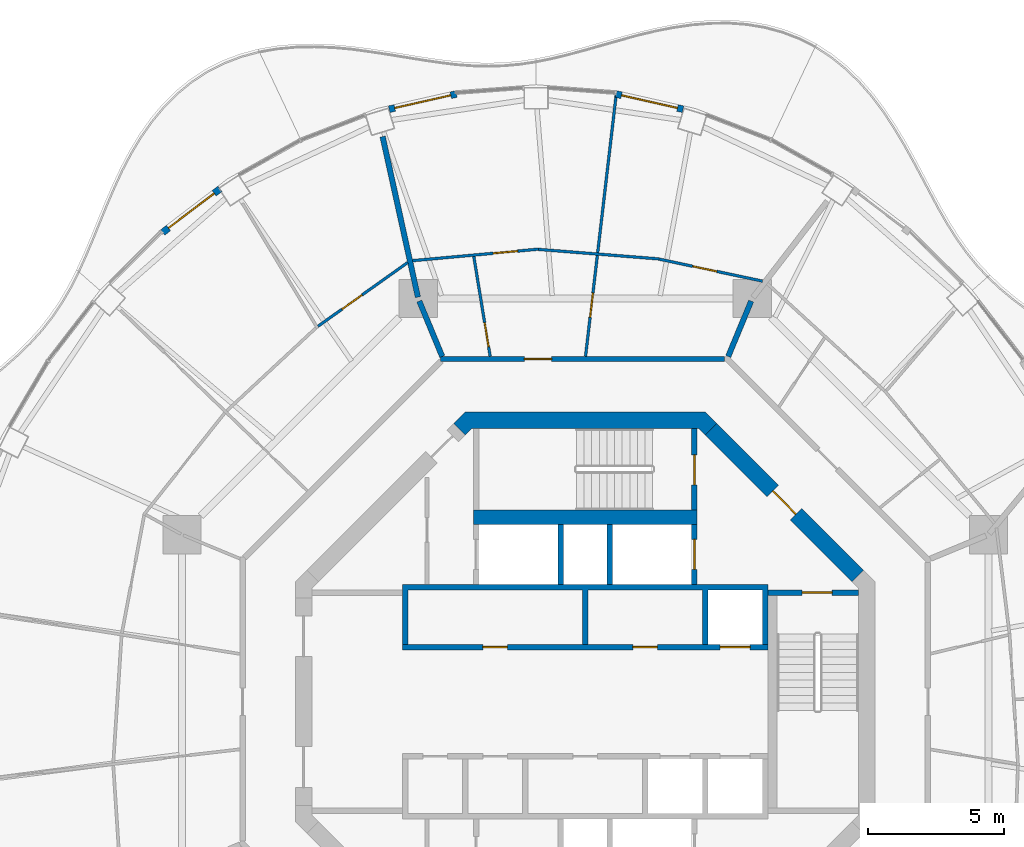
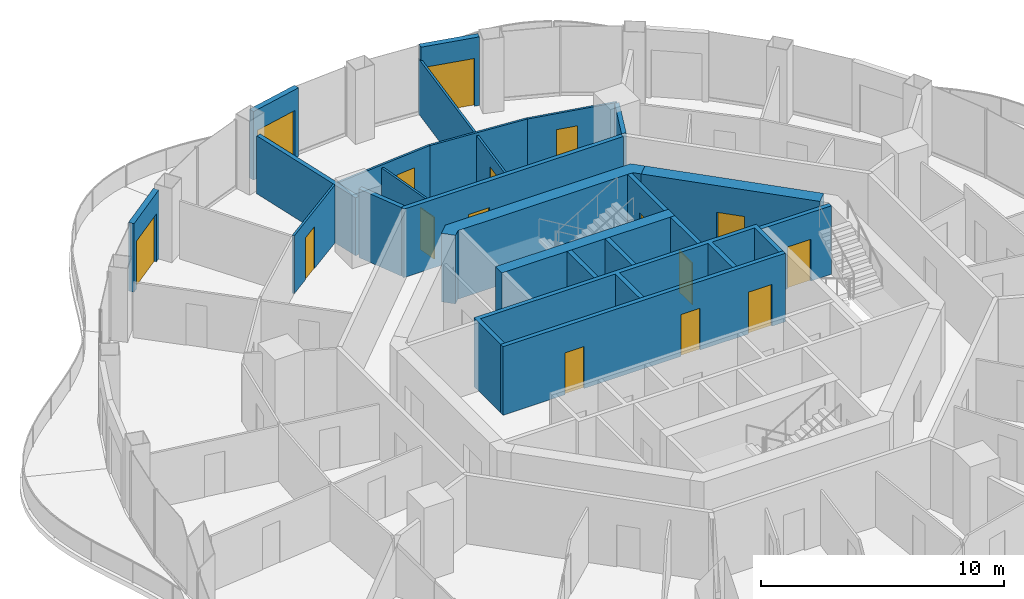
# One storey, part 13 of 17: 23 walls, 16 doors, 16 openings.
"""IFC4 building model written with IfcOpenShell, lengths in metres."""

import ifcopenshell
import ifcopenshell.guid

model = None  # the IFC model being written
_history = None  # IfcOwnerHistory: only IFC2X3 demands one
_inside = {}  # id of a spatial element -> (the spatial element, [elements in it])
_under = {}  # id of a project, library or spatial element -> (it, [spatial elements below it])
_declared = {}  # id of a project -> (the project, [libraries it declares])
_typed = {}  # id of a type object -> (the type object, [elements of that type])
_made_of = {}  # id of a material, layer set ... -> (it, [elements and type objects made of it])


def new_model(schema):
    """Start an empty IFC model of exactly this schema.

    Asked for "IFC4X3", IfcOpenShell would pick the latest addendum, in which some entities
    have other attributes; the version numbers below select the first issue.
    IFC2X3 requires an IfcOwnerHistory on every rooted entity: one is made here for all.
    """
    global model, _history
    if schema == "IFC4X3":
        model = ifcopenshell.file(schema_version=(4, 3, 0, 0))
    else:
        model = ifcopenshell.file(schema=schema)
    _inside.clear()
    _under.clear()
    _declared.clear()
    _typed.clear()
    _made_of.clear()
    _history = None
    if model.schema == "IFC2X3":
        org = make("IfcOrganization", Name="unknown")
        user = make(
            "IfcPersonAndOrganization",
            ThePerson=make("IfcPerson", FamilyName="unknown"),
            TheOrganization=org,
        )
        app = make(
            "IfcApplication",
            ApplicationDeveloper=org,
            Version="unknown",
            ApplicationFullName="unknown",
            ApplicationIdentifier="unknown",
        )
        _history = make(
            "IfcOwnerHistory",
            OwningUser=user,
            OwningApplication=app,
            ChangeAction="ADDED",
            CreationDate=0,
        )
    return model


def make(cls, **values):
    """One entity of the class cls with the attributes given. An attribute that is None is left unset."""
    return model.create_entity(
        cls, **{name: value for name, value in values.items() if value is not None}
    )


def rooted(cls, **values):
    """An entity with a GlobalId (a new one), such as an element, a storey or a relation."""
    return make(cls, GlobalId=ifcopenshell.guid.new(), OwnerHistory=_history, **values)


def si_unit(unit_type, name, prefix=None):
    """IfcSIUnit, for example si_unit("LENGTHUNIT", "METRE", prefix="MILLI")."""
    return make("IfcSIUnit", UnitType=unit_type, Prefix=prefix, Name=name)


def assignment(units):
    """IfcUnitAssignment: the units of a project."""
    return None if units is None else make("IfcUnitAssignment", Units=units)


def point(xyz):
    """IfcCartesianPoint."""
    return None if xyz is None else make("IfcCartesianPoint", Coordinates=xyz)


def direction(xyz):
    """IfcDirection."""
    return None if xyz is None else make("IfcDirection", DirectionRatios=xyz)


def frame(location, z_axis=None, x_axis=None):
    """IfcAxis2Placement3D, a coordinate frame: its origin and axes. An axis left out is left unset."""
    return make(
        "IfcAxis2Placement3D",
        Location=point(location),
        Axis=direction(z_axis),
        RefDirection=direction(x_axis),
    )


def frame_2d(location, x_axis=None):
    """IfcAxis2Placement2D, a coordinate frame in the plane: its origin and x axis."""
    return make(
        "IfcAxis2Placement2D", Location=point(location), RefDirection=direction(x_axis)
    )


def origin():
    """The frame at (0, 0, 0) with its axes left unset."""
    return frame((0.0, 0.0, 0.0))


def place(relative_to, where):
    """IfcLocalPlacement: puts the frame where relative to a parent placement (None: the world)."""
    return make(
        "IfcLocalPlacement", PlacementRelTo=relative_to, RelativePlacement=where
    )


def context(
    kind, dimensions, precision=None, world=None, true_north=None, identifier=None
):
    """IfcGeometricRepresentationContext, for example the 3D "Model" context."""
    return make(
        "IfcGeometricRepresentationContext",
        ContextIdentifier=identifier,
        ContextType=kind,
        CoordinateSpaceDimension=dimensions,
        Precision=precision,
        WorldCoordinateSystem=world,
        TrueNorth=true_north,
    )


def subcontext(parent, identifier, kind, view, scale=None):
    """IfcGeometricRepresentationSubContext, for example "Body" below "Model"."""
    return make(
        "IfcGeometricRepresentationSubContext",
        ContextIdentifier=identifier,
        ContextType=kind,
        ParentContext=parent,
        TargetScale=scale,
        TargetView=view,
    )


def project(units=None, contexts=None):
    """IfcProject with its units and contexts."""
    return rooted(
        "IfcProject",
        Name="project",
        RepresentationContexts=contexts,
        UnitsInContext=assignment(units),
    )


def spatial(cls, under=None, at=None, **own):
    """A site, building, storey or space (cls), placed at a placement, below another one or the project."""
    s = rooted(cls, ObjectPlacement=at, **own)
    if under is not None:
        _under.setdefault(under.id(), (under, []))[1].append(s)
    return s


def polyline(points):
    """IfcPolyline through the points."""
    return make("IfcPolyline", Points=[point(p) for p in points])


def profile(cls, at=None, kind="AREA", **sizes):
    """A parametric profile (cls). Its sizes go by their IFC names, for example OverallWidth=200.0."""
    return make(cls, ProfileType=kind, Position=at, **sizes)


def rectangle(**sizes):
    """IfcRectangleProfileDef."""
    return profile("IfcRectangleProfileDef", **sizes)


def outline(outer, holes=None, kind="AREA"):
    """IfcArbitraryClosedProfileDef: a profile drawn as a closed curve; with holes, ...WithVoids."""
    if holes is None:
        return make("IfcArbitraryClosedProfileDef", ProfileType=kind, OuterCurve=outer)
    return make(
        "IfcArbitraryProfileDefWithVoids",
        ProfileType=kind,
        OuterCurve=outer,
        InnerCurves=holes,
    )


def extrude(swept, where, along, depth):
    """IfcExtrudedAreaSolid: the profile swept, set in the frame where, extruded along a direction by depth."""
    return make(
        "IfcExtrudedAreaSolid",
        SweptArea=swept,
        Position=where,
        ExtrudedDirection=direction(along),
        Depth=depth,
    )


def shape(context_of_items, identifier, shape_type, items):
    """IfcShapeRepresentation: the items that make up one representation, for example the "Body"."""
    return make(
        "IfcShapeRepresentation",
        ContextOfItems=context_of_items,
        RepresentationIdentifier=identifier,
        RepresentationType=shape_type,
        Items=items,
    )


def material(Name=None, Category=None):
    """IfcMaterial."""
    return make("IfcMaterial", Name=Name, Category=Category)


def layer(
    of_material, thickness, ventilated=None, Name=None, Category=None, Priority=None
):
    """IfcMaterialLayer: one layer of a wall or slab, of a material (None: an air gap)."""
    return make(
        "IfcMaterialLayer",
        Material=of_material,
        LayerThickness=thickness,
        IsVentilated=ventilated,
        Name=Name,
        Category=Category,
        Priority=Priority,
    )


def layer_set(layers, Name=None):
    """IfcMaterialLayerSet."""
    return make("IfcMaterialLayerSet", MaterialLayers=layers, LayerSetName=Name)


def made_of(thing, what):
    """Note that an element or type object is made of a material, layer set ...; save() writes the relation."""
    if what is not None:
        _made_of.setdefault(what.id(), (what, []))[1].append(thing)
    return thing


def type_object(cls, material=None, **own):
    """A type object (cls), such as IfcWallType, which elements share."""
    return made_of(rooted(cls, **own), material)


def element(
    cls,
    number,
    at=None,
    inside=None,
    cuts=None,
    type_object=None,
    material=None,
    context=None,
    identifier="Body",
    shape_type=None,
    held_by="IfcProductDefinitionShape",
    body=None,
    shapes=None,
    **own,
):
    """One element of the class cls, such as IfcWall. Its Tag is "e" and its number.

    at: its placement. inside: the storey or other place that contains it. cuts: it is an
    opening in that element (IfcRelVoidsElement). A single representation is given by context,
    identifier, shape_type and body (its items); several are given by shapes. held_by: the class
    of the entity that holds the representations. save() writes the other relations.
    """
    e = rooted(cls, Tag="e%d" % number, ObjectPlacement=at, **own)
    if body is not None:
        shapes = [shape(context, identifier, shape_type, body)]
    if shapes is not None:
        e.Representation = make(held_by, Representations=shapes)
    if inside is not None:
        _inside.setdefault(inside.id(), (inside, []))[1].append(e)
    if cuts is not None:
        rooted(
            "IfcRelVoidsElement", RelatingBuildingElement=cuts, RelatedOpeningElement=e
        )
    if type_object is not None:
        _typed.setdefault(type_object.id(), (type_object, []))[1].append(e)
    return made_of(e, material)


def fill(opening, filler):
    """IfcRelFillsElement: the door or window that sits in an opening."""
    return rooted(
        "IfcRelFillsElement",
        RelatingOpeningElement=opening,
        RelatedBuildingElement=filler,
    )


def aggregate(whole, parts):
    """IfcRelAggregates: a whole, such as a stair, and the parts it consists of."""
    return rooted("IfcRelAggregates", RelatingObject=whole, RelatedObjects=parts)


def save(model, path):
    """Write the relations noted so far, then the file.

    IfcRelAggregates (storeys below a building ...), IfcRelContainedInSpatialStructure (elements
    in a storey), IfcRelDefinesByType, IfcRelAssociatesMaterial and IfcRelDeclares: one each for
    every whole, place, type object, material and project.
    """
    for whole, parts in _under.values():
        aggregate(whole, parts)
    for where, things in _inside.values():
        rooted(
            "IfcRelContainedInSpatialStructure",
            RelatedElements=things,
            RelatingStructure=where,
        )
    for kind, things in _typed.values():
        rooted("IfcRelDefinesByType", RelatedObjects=things, RelatingType=kind)
    for what, things in _made_of.values():
        rooted("IfcRelAssociatesMaterial", RelatedObjects=things, RelatingMaterial=what)
    for by, libraries in _declared.values():
        rooted("IfcRelDeclares", RelatingContext=by, RelatedDefinitions=libraries)
    model.write(path)


model = new_model("IFC4")

# Units and contexts
model_context = context("Model", 3, precision=1e-05, world=origin(), true_north=direction((0.0, 1.0)))
body_context = subcontext(model_context, "Body", "Model", "MODEL_VIEW")
ifc_project = project(units=[si_unit("LENGTHUNIT", "METRE"), si_unit("AREAUNIT", "SQUARE_METRE"), si_unit("VOLUMEUNIT", "CUBIC_METRE"), si_unit("PLANEANGLEUNIT", "RADIAN"), si_unit("MASSUNIT", "GRAM", prefix="KILO")], contexts=[model_context])

# Site, building, storey
site_placement = place(None, origin())
site = spatial("IfcSite", under=ifc_project, at=site_placement, CompositionType="ELEMENT")
building_placement = place(site_placement, origin())
building = spatial("IfcBuilding", under=site, at=building_placement, Name="Nagisa Residences", CompositionType="ELEMENT")
storey_placement = place(building_placement, frame((0.0, 0.0, 288.10009765625)))
storey = spatial("IfcBuildingStorey", under=building, at=storey_placement, Name="L73", CompositionType="ELEMENT", Elevation=288.10009765625)

# Walls
ifc_material_1 = material(Name="Gypsum board on steel studs", Category="steel")
ifc_layer_1 = layer(ifc_material_1, 0.199951171875)
ifc_layer_set_1 = layer_set([ifc_layer_1], Name="Apartment compartment wall EI60 200")
wall_type_1 = type_object("IfcWallType", Name="Apartment compartment wall EI60 200", PredefinedType="PARTITIONING", material=ifc_layer_set_1)
wall_1_placement = place(storey_placement, frame((5.24267578125, 12.6572265625, 0.0), z_axis=(0.0, 0.0, 1.0), x_axis=(0.382691608661, 0.923876145736, 0.0)))
element("IfcWall", 1, at=wall_1_placement, inside=storey, type_object=wall_type_1, Name="wall:L73:u02", PredefinedType="PARTITIONING", context=body_context, shape_type="SweptSolid", body=[
    extrude(rectangle(XDim=2.19970703125, YDim=0.199951171875, at=frame_2d((1.099853515625, 0.0))), origin(), (0.0, 0.0, 1.0), 3.43994140625),
])
wall_2_placement = place(storey_placement, frame((-5.24267578125, 12.6572265625, 0.0), z_axis=(0.0, 0.0, 1.0), x_axis=(-0.38273085373, 0.923859888513, 0.0)))
element("IfcWall", 2, at=wall_2_placement, inside=storey, type_object=wall_type_1, Name="wall:L73:u04", PredefinedType="PARTITIONING", context=body_context, shape_type="SweptSolid", body=[
    extrude(rectangle(XDim=2.199462890625, YDim=0.199951171875, at=frame_2d((1.099609375, 0.0))), origin(), (0.0, 0.0, 1.0), 3.43994140625),
])
wall_3_placement = place(storey_placement, frame((-6.133544921875, 14.830810546875, 0.0), z_axis=(0.0, 0.0, 1.0), x_axis=(-0.214842475666, 0.976648714047, 0.0)))
element("IfcWall", 3, at=wall_3_placement, inside=storey, type_object=wall_type_1, Name="wall:L73:u05", PredefinedType="PARTITIONING", context=body_context, shape_type="SweptSolid", body=[
    extrude(rectangle(XDim=6.03076171875, YDim=0.199951171875, at=frame_2d((3.015380859375, 0.0))), origin(), (0.0, 0.0, 1.0), 2.90478515625),
])

# Wall, opening, door
ifc_material_2 = material(Name="Gypsum board on steel studs", Category="steel")
ifc_layer_2 = layer(ifc_material_2, 0.199951171875)
ifc_layer_set_2 = layer_set([ifc_layer_2], Name="Apartment entry wall EI60 200")
wall_type_2 = type_object("IfcWallType", Name="Apartment entry wall EI60 200", PredefinedType="PARTITIONING", material=ifc_layer_set_2)
wall_4_placement = place(storey_placement, frame((5.1044921875, 12.564697265625, 0.0), z_axis=(0.0, 0.0, 1.0), x_axis=(-1.0, 0.0, 0.0)))
wall_4 = element("IfcWall", 4, at=wall_4_placement, inside=storey, type_object=wall_type_2, Name="wall:L73:u16", PredefinedType="PARTITIONING", context=body_context, shape_type="SweptSolid", body=[
    extrude(rectangle(XDim=10.408935546875, YDim=0.199951171875, at=frame_2d((5.20458984375, 0.0))), origin(), (0.0, 0.0, 1.0), 3.43994140625),
])
opening_1_placement = place(wall_4_placement, frame((6.33935546875, 0.0, 0.0)))
opening_1 = element("IfcOpeningElement", 5, at=opening_1_placement, cuts=wall_4, Name="Opening L73-U30", PredefinedType="OPENING", context=body_context, shape_type="SweptSolid", body=[
    extrude(rectangle(XDim=1.0, YDim=2.10009765625, at=frame_2d((0.5, 1.050048828125))), frame((0.0, 0.10986328125, 0.0), z_axis=(0.0, -1.0, 0.0), x_axis=(1.0, 0.0, 0.0)), (0.0, 0.0, 1.0), 0.219970703125),
])
ifc_material_3 = material(Name="Timber fire door set", Category="wood")
door_type_1 = type_object("IfcDoorType", Name="Apartment entry door FD30S 1000x2100", OperationType="NOTDEFINED", PredefinedType="DOOR", material=ifc_material_3)
door_1_placement = place(opening_1_placement, frame((1.0, 0.0, 0.0), x_axis=(-1.0, 0.0, 0.0)))
door_1 = element("IfcDoor", 6, at=door_1_placement, inside=storey, type_object=door_type_1, Name="Entry door, Apartment 73F", OperationType="SINGLE_SWING_LEFT", OverallHeight=2.10009765625, OverallWidth=1.0, PredefinedType="DOOR", context=body_context, shape_type="SweptSolid", body=[
    extrude(rectangle(XDim=1.0, YDim=2.10009765625, at=frame_2d((0.5, 1.050048828125))), frame((0.0, 0.02490234375, 0.0), z_axis=(0.0, -1.0, 0.0), x_axis=(1.0, 0.0, 0.0)), (0.0, 0.0, 1.0), 0.050048828125),
])
fill(opening_1, door_1)

ifc_material_4 = material(Name="Gypsum board on steel studs", Category="steel")
ifc_layer_3 = layer(ifc_material_4, 0.10009765625)
ifc_layer_set_3 = layer_set([ifc_layer_3], Name="Apartment partition 100")
wall_type_3 = type_object("IfcWallType", Name="Apartment partition 100", PredefinedType="PARTITIONING", material=ifc_layer_set_3)
wall_5_placement = place(storey_placement, frame((6.50048828125, 15.41943359375, 0.0), z_axis=(0.0, 0.0, 1.0), x_axis=(-0.978053492557, 0.208353943321, 0.0)))
wall_5 = element("IfcWall", 7, at=wall_5_placement, inside=storey, type_object=wall_type_3, Name="wall:L73:u33", PredefinedType="PARTITIONING", context=body_context, shape_type="SweptSolid", body=[
    extrude(rectangle(XDim=3.873779296875, YDim=0.10009765625, at=frame_2d((1.93701171875, 0.0))), origin(), (0.0, 0.0, 1.0), 2.90478515625),
])
opening_2_placement = place(wall_5_placement, frame((1.71435546875, 0.0, 0.0)))
opening_2 = element("IfcOpeningElement", 8, at=opening_2_placement, cuts=wall_5, Name="Opening L73-U33", PredefinedType="OPENING", context=body_context, shape_type="SweptSolid", body=[
    extrude(rectangle(XDim=0.89990234375, YDim=2.10009765625, at=frame_2d((0.449951171875, 1.050048828125))), frame((0.0, 0.06005859375, 0.0), z_axis=(0.0, -1.0, 0.0), x_axis=(1.0, 0.0, 0.0)), (0.0, 0.0, 1.0), 0.1201171875),
])
ifc_material_5 = material(Name="Timber door set", Category="wood")
door_type_2 = type_object("IfcDoorType", Name="Apartment door 900x2100", OperationType="NOTDEFINED", PredefinedType="DOOR", material=ifc_material_5)
door_2_placement = place(opening_2_placement, frame((0.89990234375, 0.0, 0.0), x_axis=(-1.0, 0.0, 0.0)))
door_2 = element("IfcDoor", 9, at=door_2_placement, inside=storey, type_object=door_type_2, Name="Door to kitchen, Apartment 73F", OperationType="SINGLE_SWING_RIGHT", OverallHeight=2.10009765625, OverallWidth=0.89990234375, PredefinedType="DOOR", context=body_context, shape_type="SweptSolid", body=[
    extrude(rectangle(XDim=0.89990234375, YDim=2.10009765625, at=frame_2d((0.449951171875, 1.050048828125))), frame((0.0, 0.02490234375, 0.0), z_axis=(0.0, -1.0, 0.0), x_axis=(1.0, 0.0, 0.0)), (0.0, 0.0, 1.0), 0.050048828125),
])
fill(opening_2, door_2)

# Wall
wall_6_placement = place(storey_placement, frame((2.712646484375, 16.23291015625, 0.0), z_axis=(0.0, 0.0, 1.0), x_axis=(-0.996870142942, 0.079056423588, 0.0)))
element("IfcWall", 10, at=wall_6_placement, inside=storey, type_object=wall_type_3, Name="wall:L73:u34", PredefinedType="PARTITIONING", context=body_context, shape_type="SweptSolid", body=[
    extrude(rectangle(XDim=4.437744140625, YDim=0.10009765625, at=frame_2d((2.21875, 0.0))), origin(), (0.0, 0.0, 1.0), 2.90478515625),
])

# Wall, opening, door
wall_7_placement = place(storey_placement, frame((0.01171875, 12.6640625, 0.0), z_axis=(0.0, 0.0, 1.0), x_axis=(0.11636251357, 0.993206808996, 0.0)))
wall_7 = element("IfcWall", 11, at=wall_7_placement, inside=storey, type_object=wall_type_3, Name="wall:L73:u35", PredefinedType="PARTITIONING", context=body_context, shape_type="SweptSolid", body=[
    extrude(rectangle(XDim=9.7646484375, YDim=0.10009765625, at=frame_2d((4.88232421875, 0.0))), origin(), (0.0, 0.0, 1.0), 2.761962890625),
])
opening_3_placement = place(wall_7_placement, frame((1.43701171875, 0.0, 0.0)))
opening_3 = element("IfcOpeningElement", 12, at=opening_3_placement, cuts=wall_7, Name="Opening L73-U31", PredefinedType="OPENING", context=body_context, shape_type="SweptSolid", body=[
    extrude(rectangle(XDim=0.89990234375, YDim=2.10009765625, at=frame_2d((0.449951171875, 1.050048828125))), frame((0.0, 0.06005859375, 0.0), z_axis=(0.0, -1.0, 0.0), x_axis=(1.0, 0.0, 0.0)), (0.0, 0.0, 1.0), 0.1201171875),
])
door_3_placement = place(opening_3_placement, frame((0.89990234375, 0.0, 0.0), x_axis=(-1.0, 0.0, 0.0)))
door_3 = element("IfcDoor", 13, at=door_3_placement, inside=storey, type_object=door_type_2, Name="Door to store, Apartment 73F", OperationType="SINGLE_SWING_RIGHT", OverallHeight=2.10009765625, OverallWidth=0.89990234375, PredefinedType="DOOR", context=body_context, shape_type="SweptSolid", body=[
    extrude(rectangle(XDim=0.89990234375, YDim=2.10009765625, at=frame_2d((0.449951171875, 1.050048828125))), frame((0.0, 0.02490234375, 0.0), z_axis=(0.0, -1.0, 0.0), x_axis=(1.0, 0.0, 0.0)), (0.0, 0.0, 1.0), 0.050048828125),
])
fill(opening_3, door_3)

wall_8_placement = place(storey_placement, frame((-1.711181640625, 16.59228515625, 0.0), z_axis=(0.0, 0.0, 1.0), x_axis=(-0.995843837247, -0.091077175065, 0.0)))
wall_8 = element("IfcWall", 14, at=wall_8_placement, inside=storey, type_object=wall_type_3, Name="wall:L73:u36", PredefinedType="PARTITIONING", context=body_context, shape_type="SweptSolid", body=[
    extrude(rectangle(XDim=4.634765625, YDim=0.10009765625, at=frame_2d((2.3173828125, 0.0))), origin(), (0.0, 0.0, 1.0), 2.90478515625),
])
opening_4_placement = place(wall_8_placement, frame((0.771240234375, 0.0, 0.0)))
opening_4 = element("IfcOpeningElement", 15, at=opening_4_placement, cuts=wall_8, Name="Opening L73-U34", PredefinedType="OPENING", context=body_context, shape_type="SweptSolid", body=[
    extrude(rectangle(XDim=0.89990234375, YDim=2.10009765625, at=frame_2d((0.449951171875, 1.050048828125))), frame((0.0, 0.06005859375, 0.0), z_axis=(0.0, -1.0, 0.0), x_axis=(1.0, 0.0, 0.0)), (0.0, 0.0, 1.0), 0.1201171875),
])
door_4_placement = place(opening_4_placement, frame((0.89990234375, 0.0, 0.0), x_axis=(-1.0, 0.0, 0.0)))
door_4 = element("IfcDoor", 16, at=door_4_placement, inside=storey, type_object=door_type_2, Name="Door to master bedroom, Apartment 73F", OperationType="SINGLE_SWING_LEFT", OverallHeight=2.10009765625, OverallWidth=0.89990234375, PredefinedType="DOOR", context=body_context, shape_type="SweptSolid", body=[
    extrude(rectangle(XDim=0.89990234375, YDim=2.10009765625, at=frame_2d((0.449951171875, 1.050048828125))), frame((0.0, 0.02490234375, 0.0), z_axis=(0.0, -1.0, 0.0), x_axis=(1.0, 0.0, 0.0)), (0.0, 0.0, 1.0), 0.050048828125),
])
fill(opening_4, door_4)

wall_9_placement = place(storey_placement, frame((-3.48583984375, 12.663330078125, 0.0), z_axis=(0.0, 0.0, 1.0), x_axis=(-0.161602751674, 0.986855891532, 0.0)))
wall_9 = element("IfcWall", 17, at=wall_9_placement, inside=storey, type_object=wall_type_3, Name="wall:L73:u37", PredefinedType="PARTITIONING", context=body_context, shape_type="SweptSolid", body=[
    extrude(rectangle(XDim=3.71044921875, YDim=0.10009765625, at=frame_2d((1.855224609375, 0.0))), origin(), (0.0, 0.0, 1.0), 2.761962890625),
])
opening_5_placement = place(wall_9_placement, frame((0.35009765625, 0.0, 0.0)))
opening_5 = element("IfcOpeningElement", 18, at=opening_5_placement, cuts=wall_9, Name="Opening L73-U32", PredefinedType="OPENING", context=body_context, shape_type="SweptSolid", body=[
    extrude(rectangle(XDim=0.89990234375, YDim=2.10009765625, at=frame_2d((0.449951171875, 1.050048828125))), frame((0.0, 0.06005859375, 0.0), z_axis=(0.0, -1.0, 0.0), x_axis=(1.0, 0.0, 0.0)), (0.0, 0.0, 1.0), 0.1201171875),
])
door_5_placement = place(opening_5_placement, origin())
door_5 = element("IfcDoor", 19, at=door_5_placement, inside=storey, type_object=door_type_2, Name="Door to family bathroom, Apartment 73F", OperationType="SINGLE_SWING_RIGHT", OverallHeight=2.10009765625, OverallWidth=0.89990234375, PredefinedType="DOOR", context=body_context, shape_type="SweptSolid", body=[
    extrude(rectangle(XDim=0.89990234375, YDim=2.10009765625, at=frame_2d((0.449951171875, 1.050048828125))), frame((0.0, 0.02490234375, 0.0), z_axis=(0.0, -1.0, 0.0), x_axis=(1.0, 0.0, 0.0)), (0.0, 0.0, 1.0), 0.050048828125),
])
fill(opening_5, door_5)

wall_10_placement = place(storey_placement, frame((-6.5078125, 16.10302734375, 0.0), z_axis=(0.0, 0.0, 1.0), x_axis=(-0.815202203556, -0.579176456114, 0.0)))
wall_10 = element("IfcWall", 20, at=wall_10_placement, inside=storey, type_object=wall_type_3, Name="wall:L73:u38", PredefinedType="PARTITIONING", context=body_context, shape_type="SweptSolid", body=[
    extrude(rectangle(XDim=4.0361328125, YDim=0.10009765625, at=frame_2d((2.01806640625, 0.0))), origin(), (0.0, 0.0, 1.0), 2.90478515625),
])
opening_6_placement = place(wall_10_placement, frame((2.055419921875, 0.0, 0.0)))
opening_6 = element("IfcOpeningElement", 21, at=opening_6_placement, cuts=wall_10, Name="Opening L73-U44", PredefinedType="OPENING", context=body_context, shape_type="SweptSolid", body=[
    extrude(rectangle(XDim=0.89990234375, YDim=2.10009765625, at=frame_2d((0.449951171875, 1.050048828125))), frame((0.0, 0.06005859375, 0.0), z_axis=(0.0, -1.0, 0.0), x_axis=(1.0, 0.0, 0.0)), (0.0, 0.0, 1.0), 0.1201171875),
])
door_6_placement = place(opening_6_placement, frame((0.89990234375, 0.0, 0.0), x_axis=(-1.0, 0.0, 0.0)))
door_6 = element("IfcDoor", 22, at=door_6_placement, inside=storey, type_object=door_type_2, Name="Door to kitchen, Apartment 73G", OperationType="SINGLE_SWING_LEFT", OverallHeight=2.10009765625, OverallWidth=0.89990234375, PredefinedType="DOOR", context=body_context, shape_type="SweptSolid", body=[
    extrude(rectangle(XDim=0.89990234375, YDim=2.10009765625, at=frame_2d((0.449951171875, 1.050048828125))), frame((0.0, 0.02490234375, 0.0), z_axis=(0.0, -1.0, 0.0), x_axis=(1.0, 0.0, 0.0)), (0.0, 0.0, 1.0), 0.050048828125),
])
fill(opening_6, door_6)

ifc_material_6 = material(Name="Precast concrete C40/50", Category="concrete")
ifc_layer_4 = layer(ifc_material_6, 0.25)
ifc_layer_set_4 = layer_set([ifc_layer_4], Name="BALCONY DOOR WALL 250")
wall_type_4 = type_object("IfcWallType", Name="BALCONY DOOR WALL 250", PredefinedType="SOLIDWALL", material=ifc_layer_set_4)
wall_11_placement = place(storey_placement, frame((1.125, 22.2802734375, 0.0), z_axis=(0.0, 0.0, 1.0), x_axis=(0.97531487046, -0.22081871175, 0.0)))
wall_11 = element("IfcWall", 23, at=wall_11_placement, inside=storey, type_object=wall_type_4, Name="wall:L73:bay10", PredefinedType="SOLIDWALL", context=body_context, shape_type="SweptSolid", body=[
    extrude(rectangle(XDim=2.525146484375, YDim=0.25, at=frame_2d((1.2626953125, 0.0))), origin(), (0.0, 0.0, 1.0), 3.43994140625),
])
opening_7_placement = place(wall_11_placement, frame((0.212646484375, 0.0, 0.0)))
opening_7 = element("IfcOpeningElement", 24, at=opening_7_placement, cuts=wall_11, Name="Opening BD-L73-04", PredefinedType="OPENING", context=body_context, shape_type="SweptSolid", body=[
    extrude(rectangle(XDim=2.10009765625, YDim=2.39990234375, at=frame_2d((1.050048828125, 1.199951171875))), frame((0.0, 0.135009765625, 0.0), z_axis=(0.0, -1.0, 0.0), x_axis=(1.0, 0.0, 0.0)), (0.0, 0.0, 1.0), 0.27001953125),
])
ifc_material_7 = material(Name="Aluminium and clear glass", Category="aluminium")
door_type_3 = type_object("IfcDoorType", Name="BALCONY SLIDING DOOR 2100x2400", OperationType="SLIDING_TO_LEFT", PredefinedType="DOOR", material=ifc_material_7)
door_7_placement = place(opening_7_placement, origin())
door_7 = element("IfcDoor", 25, at=door_7_placement, inside=storey, type_object=door_type_3, Name="door:L73:bay10", OperationType="SLIDING_TO_LEFT", OverallHeight=2.39990234375, OverallWidth=2.10009765625, PredefinedType="DOOR", context=body_context, shape_type="SweptSolid", body=[
    extrude(rectangle(XDim=2.10009765625, YDim=2.39990234375, at=frame_2d((1.050048828125, 1.199951171875))), frame((0.0, 0.02490234375, 0.0), z_axis=(0.0, -1.0, 0.0), x_axis=(1.0, 0.0, 0.0)), (0.0, 0.0, 1.0), 0.050048828125),
])
fill(opening_7, door_7)

wall_12_placement = place(storey_placement, frame((-7.18798828125, 21.72265625, 0.0), z_axis=(0.0, 0.0, 1.0), x_axis=(0.975319584032, 0.220797891756, 0.0)))
wall_12 = element("IfcWall", 26, at=wall_12_placement, inside=storey, type_object=wall_type_4, Name="wall:L73:bay13", PredefinedType="SOLIDWALL", context=body_context, shape_type="SweptSolid", body=[
    extrude(rectangle(XDim=2.525390625, YDim=0.25, at=frame_2d((1.2626953125, 0.0))), origin(), (0.0, 0.0, 1.0), 3.43994140625),
])
opening_8_placement = place(wall_12_placement, frame((0.212646484375, 0.0, 0.0)))
opening_8 = element("IfcOpeningElement", 27, at=opening_8_placement, cuts=wall_12, Name="Opening BD-L73-05", PredefinedType="OPENING", context=body_context, shape_type="SweptSolid", body=[
    extrude(rectangle(XDim=2.10009765625, YDim=2.39990234375, at=frame_2d((1.050048828125, 1.199951171875))), frame((0.0, 0.135009765625, 0.0), z_axis=(0.0, -1.0, 0.0), x_axis=(1.0, 0.0, 0.0)), (0.0, 0.0, 1.0), 0.27001953125),
])
door_8_placement = place(opening_8_placement, origin())
door_8 = element("IfcDoor", 28, at=door_8_placement, inside=storey, type_object=door_type_3, Name="door:L73:bay13", OperationType="SLIDING_TO_LEFT", OverallHeight=2.39990234375, OverallWidth=2.10009765625, PredefinedType="DOOR", context=body_context, shape_type="SweptSolid", body=[
    extrude(rectangle(XDim=2.10009765625, YDim=2.39990234375, at=frame_2d((1.050048828125, 1.199951171875))), frame((0.0, 0.02490234375, 0.0), z_axis=(0.0, -1.0, 0.0), x_axis=(1.0, 0.0, 0.0)), (0.0, 0.0, 1.0), 0.050048828125),
])
fill(opening_8, door_8)

wall_13_placement = place(storey_placement, frame((-15.49462890625, 17.20361328125, 0.0), z_axis=(0.0, 0.0, 1.0), x_axis=(0.796010739377, 0.605282498339, 0.0)))
wall_13 = element("IfcWall", 29, at=wall_13_placement, inside=storey, type_object=wall_type_4, Name="wall:L73:bay16", PredefinedType="SOLIDWALL", context=body_context, shape_type="SweptSolid", body=[
    extrude(rectangle(XDim=2.640625, YDim=0.25, at=frame_2d((1.3203125, 0.0))), origin(), (0.0, 0.0, 1.0), 3.43994140625),
])
opening_9_placement = place(wall_13_placement, frame((0.270263671875, 0.0, 0.0)))
opening_9 = element("IfcOpeningElement", 30, at=opening_9_placement, cuts=wall_13, Name="Opening BD-L73-06", PredefinedType="OPENING", context=body_context, shape_type="SweptSolid", body=[
    extrude(rectangle(XDim=2.10009765625, YDim=2.39990234375, at=frame_2d((1.050048828125, 1.199951171875))), frame((0.0, 0.135009765625, 0.0), z_axis=(0.0, -1.0, 0.0), x_axis=(1.0, 0.0, 0.0)), (0.0, 0.0, 1.0), 0.27001953125),
])
door_9_placement = place(opening_9_placement, origin())
door_9 = element("IfcDoor", 31, at=door_9_placement, inside=storey, type_object=door_type_3, Name="door:L73:bay16", OperationType="SLIDING_TO_LEFT", OverallHeight=2.39990234375, OverallWidth=2.10009765625, PredefinedType="DOOR", context=body_context, shape_type="SweptSolid", body=[
    extrude(rectangle(XDim=2.10009765625, YDim=2.39990234375, at=frame_2d((1.050048828125, 1.199951171875))), frame((0.0, 0.02490234375, 0.0), z_axis=(0.0, -1.0, 0.0), x_axis=(1.0, 0.0, 0.0)), (0.0, 0.0, 1.0), 0.050048828125),
])
fill(opening_9, door_9)

ifc_material_8 = material(Name="Concrete C60", Category="concrete")
ifc_layer_5 = layer(ifc_material_8, 0.60009765625)
ifc_layer_set_5 = layer_set([ifc_layer_5], Name="Core shear wall 600")
wall_type_5 = type_object("IfcWallType", Name="Core shear wall 600", PredefinedType="SHEAR", material=ifc_layer_set_5)
wall_14_placement = place(storey_placement, frame((9.98828125, 4.613037109375, 0.0), z_axis=(0.0, 0.0, 1.0), x_axis=(-0.707106781187, 0.707106781187, 0.0)))
wall_14 = element("IfcWall", 32, at=wall_14_placement, inside=storey, type_object=wall_type_5, Name="wall:L73:core:flat1", PredefinedType="SHEAR", context=body_context, shape_type="SweptSolid", body=[
    extrude(rectangle(XDim=7.601806640625, YDim=0.60009765625, at=frame_2d((3.80078125, 0.0))), origin(), (0.0, 0.0, 1.0), 3.43994140625),
])
opening_10_placement = place(wall_14_placement, frame((3.200927734375, 0.0, 0.0)))
opening_10 = element("IfcOpeningElement", 33, at=opening_10_placement, cuts=wall_14, Name="Opening L73-C18", PredefinedType="OPENING", context=body_context, shape_type="SweptSolid", body=[
    extrude(rectangle(XDim=1.199951171875, YDim=2.10009765625, at=frame_2d((0.60009765625, 1.050048828125))), frame((0.0, 0.31005859375, 0.0), z_axis=(0.0, -1.0, 0.0), x_axis=(1.0, 0.0, 0.0)), (0.0, 0.0, 1.0), 0.6201171875),
])
ifc_material_9 = material(Name="Steel fire door", Category="steel")
door_type_4 = type_object("IfcDoorType", Name="Fire door EI60 1200x2100 single swing", OperationType="NOTDEFINED", PredefinedType="DOOR", material=ifc_material_9)
door_10_placement = place(opening_10_placement, origin())
door_10 = element("IfcDoor", 34, at=door_10_placement, inside=storey, type_object=door_type_4, Name="Firefighting lobby 1 door L73", OperationType="SINGLE_SWING_LEFT", OverallHeight=2.10009765625, OverallWidth=1.199951171875, PredefinedType="DOOR", context=body_context, shape_type="SweptSolid", body=[
    extrude(rectangle(XDim=1.199951171875, YDim=2.10009765625, at=frame_2d((0.60009765625, 1.050048828125))), frame((0.0, 0.02490234375, 0.0), z_axis=(0.0, -1.0, 0.0), x_axis=(1.0, 0.0, 0.0)), (0.0, 0.0, 1.0), 0.050048828125),
])
fill(opening_10, door_10)

# Wall
wall_15_placement = place(storey_placement, origin())
element("IfcWall", 35, at=wall_15_placement, inside=storey, type_object=wall_type_5, Name="wall:L73:core:flat2", PredefinedType="SHEAR", context=body_context, shape_type="SweptSolid", body=[
    extrude(outline(polyline([(-4.15234375, 10.024658203125), (-4.40087890625, 9.776123046875), (-4.8251953125, 10.200439453125), (-4.40087890625, 10.62451171875), (4.40087890625, 10.62451171875), (4.8251953125, 10.200439453125), (4.40087890625, 9.776123046875), (4.15234375, 10.024658203125), (-4.15234375, 10.024658203125)])), origin(), (0.0, 0.0, 1.0), 3.43994140625),
])

# Wall, opening, door
ifc_material_10 = material(Name="Concrete C60", Category="concrete")
ifc_layer_6 = layer(ifc_material_10, 0.199951171875)
ifc_layer_set_6 = layer_set([ifc_layer_6], Name="Lift shaft wall 200")
wall_type_6 = type_object("IfcWallType", Name="Lift shaft wall 200", PredefinedType="SOLIDWALL", material=ifc_layer_set_6)
wall_16_placement = place(storey_placement, frame((4.0, 4.300048828125, 0.0), z_axis=(0.0, 0.0, 1.0), x_axis=(0.0, 1.0, 0.0)))
wall_16 = element("IfcWall", 36, at=wall_16_placement, inside=storey, type_object=wall_type_6, Name="wall:L73:Nb3", PredefinedType="SOLIDWALL", context=body_context, shape_type="SweptSolid", body=[
    extrude(rectangle(XDim=2.199951171875, YDim=0.199951171875, at=frame_2d((1.10009765625, 0.0))), origin(), (0.0, 0.0, 1.0), 3.43994140625),
])
opening_11_placement = place(wall_16_placement, frame((0.550048828125, 0.0, 0.0)))
opening_11 = element("IfcOpeningElement", 37, at=opening_11_placement, cuts=wall_16, Name="Opening L73-C04", PredefinedType="OPENING", context=body_context, shape_type="SweptSolid", body=[
    extrude(rectangle(XDim=1.10009765625, YDim=2.10009765625, at=frame_2d((0.550048828125, 1.050048828125))), frame((0.0, 0.10986328125, 0.0), z_axis=(0.0, -1.0, 0.0), x_axis=(1.0, 0.0, 0.0)), (0.0, 0.0, 1.0), 0.219970703125),
])
ifc_material_11 = material(Name="Stainless steel", Category="steel")
door_type_5 = type_object("IfcDoorType", Name="Lift landing door 1100x2100", OperationType="DOUBLE_DOOR_SLIDING", PredefinedType="DOOR", material=ifc_material_11)
door_11_placement = place(opening_11_placement, origin())
door_11 = element("IfcDoor", 38, at=door_11_placement, inside=storey, type_object=door_type_5, Name="Landing door FL1 L73", OperationType="DOUBLE_DOOR_SLIDING", OverallHeight=2.10009765625, OverallWidth=1.10009765625, PredefinedType="DOOR", context=body_context, shape_type="SweptSolid", body=[
    extrude(rectangle(XDim=1.10009765625, YDim=2.10009765625, at=frame_2d((0.550048828125, 1.050048828125))), frame((0.0, 0.02490234375, 0.0), z_axis=(0.0, -1.0, 0.0), x_axis=(1.0, 0.0, 0.0)), (0.0, 0.0, 1.0), 0.050048828125),
])
fill(opening_11, door_11)

# Wall, openings, doors
wall_17_placement = place(storey_placement, frame((-6.699951171875, 2.0, 0.0), z_axis=(0.0, 0.0, 1.0), x_axis=(1.0, 0.0, 0.0)))
wall_17 = element("IfcWall", 39, at=wall_17_placement, inside=storey, type_object=wall_type_6, Name="wall:L73:Nfront", PredefinedType="SOLIDWALL", context=body_context, shape_type="SweptSolid", body=[
    extrude(rectangle(XDim=13.39990234375, YDim=0.199951171875, at=frame_2d((6.699951171875, 0.0))), origin(), (0.0, 0.0, 1.0), 3.43994140625),
])
opening_12_placement = place(wall_17_placement, frame((11.64990234375, 0.0, 0.0)))
opening_12 = element("IfcOpeningElement", 40, at=opening_12_placement, cuts=wall_17, Name="Opening L73-C01", PredefinedType="OPENING", context=body_context, shape_type="SweptSolid", body=[
    extrude(rectangle(XDim=1.10009765625, YDim=2.10009765625, at=frame_2d((0.550048828125, 1.050048828125))), frame((0.0, 0.10986328125, 0.0), z_axis=(0.0, -1.0, 0.0), x_axis=(1.0, 0.0, 0.0)), (0.0, 0.0, 1.0), 0.219970703125),
])
opening_13_placement = place(wall_17_placement, frame((2.949951171875, 0.0, 0.0)))
opening_13 = element("IfcOpeningElement", 41, at=opening_13_placement, cuts=wall_17, Name="Opening L73-C13", PredefinedType="OPENING", context=body_context, shape_type="SweptSolid", body=[
    extrude(rectangle(XDim=0.89990234375, YDim=2.10009765625, at=frame_2d((0.449951171875, 1.050048828125))), frame((0.0, 0.10986328125, 0.0), z_axis=(0.0, -1.0, 0.0), x_axis=(1.0, 0.0, 0.0)), (0.0, 0.0, 1.0), 0.219970703125),
])
opening_14_placement = place(wall_17_placement, frame((8.449951171875, 0.0, 0.0)))
opening_14 = element("IfcOpeningElement", 42, at=opening_14_placement, cuts=wall_17, Name="Opening L73-C14", PredefinedType="OPENING", context=body_context, shape_type="SweptSolid", body=[
    extrude(rectangle(XDim=0.89990234375, YDim=2.10009765625, at=frame_2d((0.449951171875, 1.050048828125))), frame((0.0, 0.10986328125, 0.0), z_axis=(0.0, -1.0, 0.0), x_axis=(1.0, 0.0, 0.0)), (0.0, 0.0, 1.0), 0.219970703125),
])
ifc_material_12 = material(Name="Steel fire door", Category="steel")
door_type_6 = type_object("IfcDoorType", Name="Fire door EI30 900x2100 single swing", OperationType="NOTDEFINED", PredefinedType="DOOR", material=ifc_material_12)
door_12_placement = place(opening_13_placement, origin())
door_12 = element("IfcDoor", 43, at=door_12_placement, inside=storey, type_object=door_type_6, Name="Owner storage door L73", OperationType="SINGLE_SWING_LEFT", OverallHeight=2.10009765625, OverallWidth=0.89990234375, PredefinedType="DOOR", context=body_context, shape_type="SweptSolid", body=[
    extrude(rectangle(XDim=0.89990234375, YDim=2.10009765625, at=frame_2d((0.449951171875, 1.050048828125))), frame((0.0, 0.02490234375, 0.0), z_axis=(0.0, -1.0, 0.0), x_axis=(1.0, 0.0, 0.0)), (0.0, 0.0, 1.0), 0.050048828125),
])
fill(opening_13, door_12)
door_13_placement = place(opening_14_placement, origin())
door_13 = element("IfcDoor", 44, at=door_13_placement, inside=storey, type_object=door_type_6, Name="Recycling room door L73", OperationType="SINGLE_SWING_LEFT", OverallHeight=2.10009765625, OverallWidth=0.89990234375, PredefinedType="DOOR", context=body_context, shape_type="SweptSolid", body=[
    extrude(rectangle(XDim=0.89990234375, YDim=2.10009765625, at=frame_2d((0.449951171875, 1.050048828125))), frame((0.0, 0.02490234375, 0.0), z_axis=(0.0, -1.0, 0.0), x_axis=(1.0, 0.0, 0.0)), (0.0, 0.0, 1.0), 0.050048828125),
])
fill(opening_14, door_13)
door_14_placement = place(opening_12_placement, origin())
door_14 = element("IfcDoor", 45, at=door_14_placement, inside=storey, type_object=door_type_5, Name="Landing door C1 L73", OperationType="DOUBLE_DOOR_SLIDING", OverallHeight=2.10009765625, OverallWidth=1.10009765625, PredefinedType="DOOR", context=body_context, shape_type="SweptSolid", body=[
    extrude(rectangle(XDim=1.10009765625, YDim=2.10009765625, at=frame_2d((0.550048828125, 1.050048828125))), frame((0.0, 0.02490234375, 0.0), z_axis=(0.0, -1.0, 0.0), x_axis=(1.0, 0.0, 0.0)), (0.0, 0.0, 1.0), 0.050048828125),
])
fill(opening_12, door_14)

# Walls
for number, where, z_axis, x_axis, name in (
    (46, (-0.89990234375, 4.300048828125, 0.0), (0.0, 0.0, 1.0), (0.0, 1.0, 0.0), "wall:L73:Nb1"),
    (47, (0.89990234375, 4.300048828125, 0.0), (0.0, 0.0, 1.0), (0.0, 1.0, 0.0), "wall:L73:Nb2"),
):
    element("IfcWall", number, at=place(storey_placement, frame(where, z_axis=z_axis, x_axis=x_axis)), inside=storey, type_object=wall_type_6, Name=name, PredefinedType="SOLIDWALL", context=body_context, shape_type="SweptSolid", body=[
        extrude(rectangle(XDim=2.199951171875, YDim=0.199951171875, at=frame_2d((1.10009765625, 0.0))), origin(), (0.0, 0.0, 1.0), 3.43994140625),
    ])
wall_18_placement = place(storey_placement, origin())
element("IfcWall", 48, at=wall_18_placement, inside=storey, type_object=wall_type_6, Name="wall:L73:Nback", PredefinedType="SOLIDWALL", context=body_context, shape_type="SweptSolid", body=[
    extrude(outline(polyline([(-6.699951171875, 4.300048828125), (6.699951171875, 4.300048828125), (6.699951171875, 2.10009765625), (6.5, 2.10009765625), (6.5, 4.10009765625), (4.5, 4.10009765625), (4.5, 2.10009765625), (4.300048828125, 2.10009765625), (4.300048828125, 4.10009765625), (0.10009765625, 4.10009765625), (0.10009765625, 2.10009765625), (-0.10009765625, 2.10009765625), (-0.10009765625, 4.10009765625), (-6.5, 4.10009765625), (-6.5, 2.10009765625), (-6.699951171875, 2.10009765625), (-6.699951171875, 4.300048828125)])), origin(), (0.0, 0.0, 1.0), 3.43994140625),
])

# Wall, opening, door
ifc_material_13 = material(Name="Concrete C60", Category="concrete")
ifc_layer_7 = layer(ifc_material_13, 0.199951171875)
ifc_layer_set_7 = layer_set([ifc_layer_7], Name="Stair enclosure wall 200")
wall_type_7 = type_object("IfcWallType", Name="Stair enclosure wall 200", PredefinedType="SOLIDWALL", material=ifc_layer_set_7)
wall_19_placement = place(storey_placement, frame((6.699951171875, 4.0, 0.0), z_axis=(0.0, 0.0, 1.0), x_axis=(1.0, 0.0, 0.0)))
wall_19 = element("IfcWall", 49, at=wall_19_placement, inside=storey, type_object=wall_type_7, Name="wall:L73:SE_n", PredefinedType="SOLIDWALL", context=body_context, shape_type="SweptSolid", body=[
    extrude(rectangle(XDim=3.32470703125, YDim=0.199951171875, at=frame_2d((1.662353515625, 0.0))), origin(), (0.0, 0.0, 1.0), 3.43994140625),
])
opening_15_placement = place(wall_19_placement, frame((1.25, 0.0, 0.0)))
opening_15 = element("IfcOpeningElement", 50, at=opening_15_placement, cuts=wall_19, Name="Opening L73-C07", PredefinedType="OPENING", context=body_context, shape_type="SweptSolid", body=[
    extrude(rectangle(XDim=1.10009765625, YDim=2.10009765625, at=frame_2d((0.550048828125, 1.050048828125))), frame((0.0, 0.10986328125, 0.0), z_axis=(0.0, -1.0, 0.0), x_axis=(1.0, 0.0, 0.0)), (0.0, 0.0, 1.0), 0.219970703125),
])
ifc_material_14 = material(Name="Steel fire door", Category="steel")
door_type_7 = type_object("IfcDoorType", Name="Fire door EI90 1100x2100 single swing", OperationType="NOTDEFINED", PredefinedType="DOOR", material=ifc_material_14)
door_15_placement = place(opening_15_placement, frame((1.10009765625, 0.0, 0.0), x_axis=(-1.0, 0.0, 0.0)))
door_15 = element("IfcDoor", 51, at=door_15_placement, inside=storey, type_object=door_type_7, Name="Stair door ST-E L73", OperationType="SINGLE_SWING_RIGHT", OverallHeight=2.10009765625, OverallWidth=1.10009765625, PredefinedType="DOOR", context=body_context, shape_type="SweptSolid", body=[
    extrude(rectangle(XDim=1.10009765625, YDim=2.10009765625, at=frame_2d((0.550048828125, 1.050048828125))), frame((0.0, 0.02490234375, 0.0), z_axis=(0.0, -1.0, 0.0), x_axis=(1.0, 0.0, 0.0)), (0.0, 0.0, 1.0), 0.050048828125),
])
fill(opening_15, door_15)

wall_20_placement = place(storey_placement, frame((4.0, 7.024658203125, 0.0), z_axis=(0.0, 0.0, 1.0), x_axis=(0.0, 1.0, 0.0)))
wall_20 = element("IfcWall", 52, at=wall_20_placement, inside=storey, type_object=wall_type_7, Name="wall:L73:SN_e", PredefinedType="SOLIDWALL", context=body_context, shape_type="SweptSolid", body=[
    extrude(rectangle(XDim=3.0, YDim=0.199951171875, at=frame_2d((1.5, 0.0))), origin(), (0.0, 0.0, 1.0), 3.43994140625),
])
opening_16_placement = place(wall_20_placement, frame((0.92529296875, 0.0, 0.0)))
opening_16 = element("IfcOpeningElement", 53, at=opening_16_placement, cuts=wall_20, Name="Opening L73-C08", PredefinedType="OPENING", context=body_context, shape_type="SweptSolid", body=[
    extrude(rectangle(XDim=1.10009765625, YDim=2.10009765625, at=frame_2d((0.550048828125, 1.050048828125))), frame((0.0, 0.10986328125, 0.0), z_axis=(0.0, -1.0, 0.0), x_axis=(1.0, 0.0, 0.0)), (0.0, 0.0, 1.0), 0.219970703125),
])
door_16_placement = place(opening_16_placement, origin())
door_16 = element("IfcDoor", 54, at=door_16_placement, inside=storey, type_object=door_type_7, Name="Stair door ST-N L73", OperationType="SINGLE_SWING_LEFT", OverallHeight=2.10009765625, OverallWidth=1.10009765625, PredefinedType="DOOR", context=body_context, shape_type="SweptSolid", body=[
    extrude(rectangle(XDim=1.10009765625, YDim=2.10009765625, at=frame_2d((0.550048828125, 1.050048828125))), frame((0.0, 0.02490234375, 0.0), z_axis=(0.0, -1.0, 0.0), x_axis=(1.0, 0.0, 0.0)), (0.0, 0.0, 1.0), 0.050048828125),
])
fill(opening_16, door_16)

# Wall
wall_21_placement = place(storey_placement, origin())
element("IfcWall", 55, at=wall_21_placement, inside=storey, type_object=wall_type_7, Name="wall:L73:SN_s", PredefinedType="SOLIDWALL", context=body_context, shape_type="SweptSolid", body=[
    extrude(outline(polyline([(4.10009765625, 6.5), (-4.10009765625, 6.5), (-4.10009765625, 7.024658203125), (4.10009765625, 7.024658203125), (4.10009765625, 6.5)])), origin(), (0.0, 0.0, 1.0), 3.43994140625),
])

save(model, "model.ifc")
